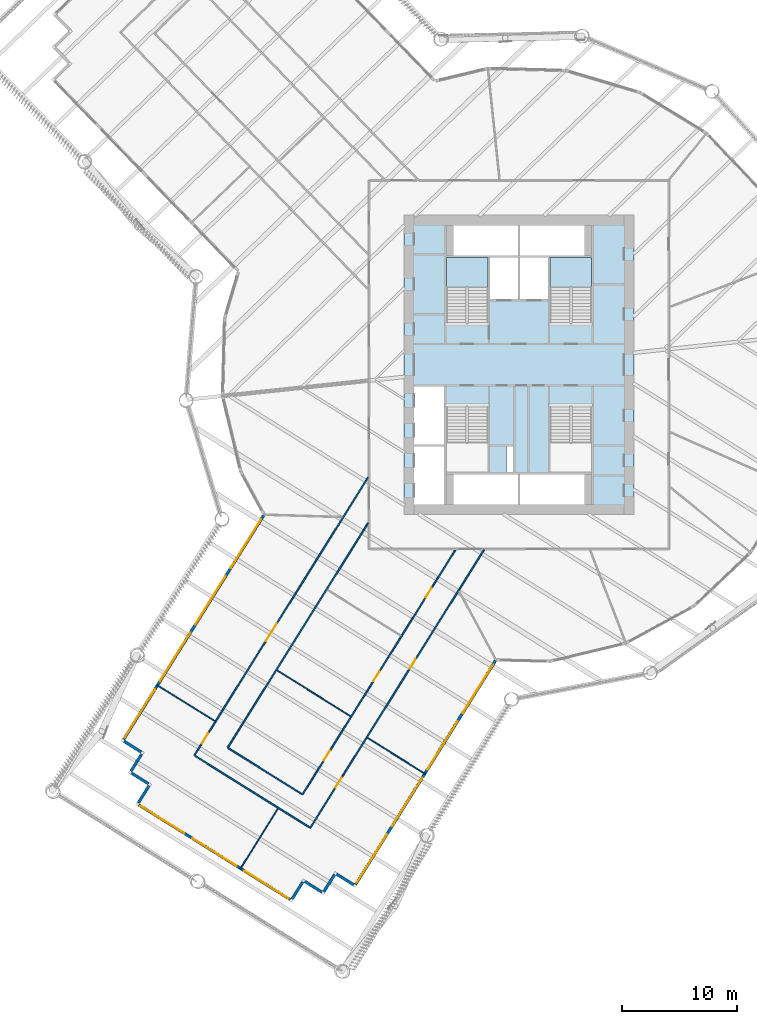
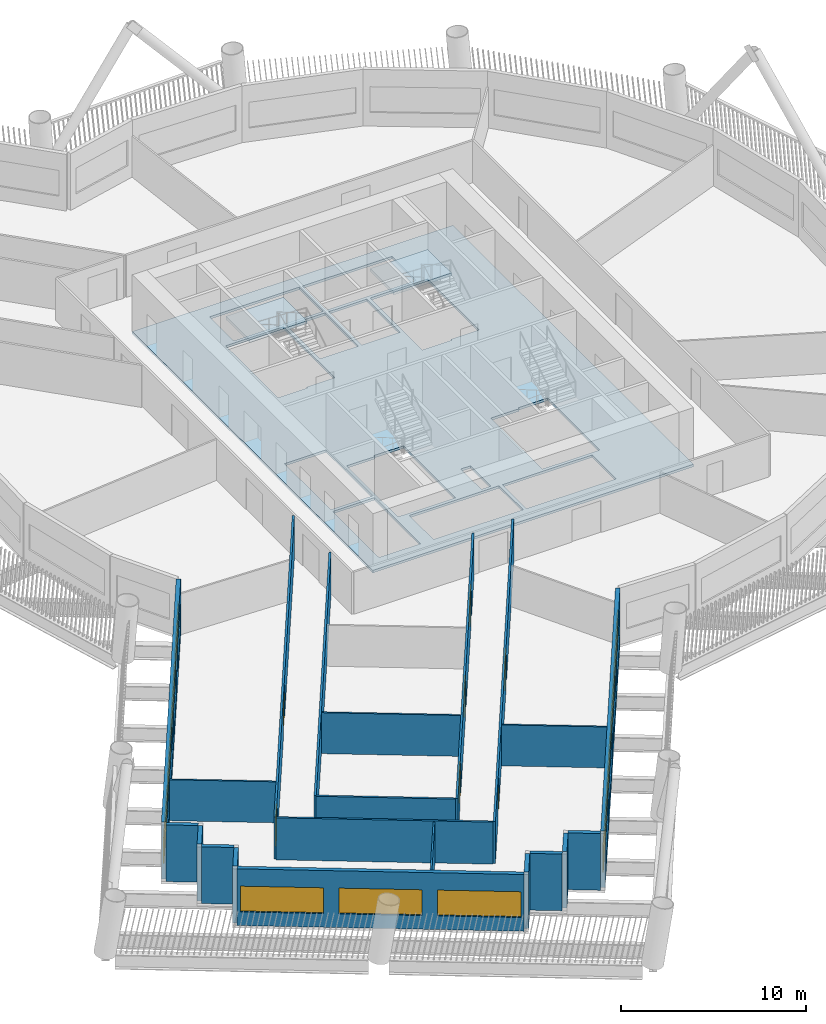
# One storey, part 3 of 22: 21 walls, 11 windows, 7 doors, 3 slabs, 18 openings, 2 elements without a shape of their own.
"""IFC4 building model written with IfcOpenShell, lengths in metres."""

from ifc_helpers import new_model, si_unit, direction, frame, frame_2d, origin, place, context, subcontext, project, spatial, polyline, rectangle, outline, extrude, material, layer, layer_set, type_object, element, fill, aggregate, save


model = new_model("IFC4")

# Units and contexts
model_context = context("Model", 3, precision=1e-05, world=origin(), true_north=direction((0.0, 1.0)))
body_context = subcontext(model_context, "Body", "Model", "MODEL_VIEW")
ifc_project = project(units=[si_unit("LENGTHUNIT", "METRE"), si_unit("AREAUNIT", "SQUARE_METRE"), si_unit("VOLUMEUNIT", "CUBIC_METRE"), si_unit("PLANEANGLEUNIT", "RADIAN"), si_unit("MASSUNIT", "GRAM", prefix="KILO")], contexts=[model_context])

# Site, building, storey
site_placement = place(None, origin())
site = spatial("IfcSite", under=ifc_project, at=site_placement, CompositionType="ELEMENT")
building_placement = place(site_placement, origin())
building = spatial("IfcBuilding", under=site, at=building_placement, Name="Tarsis Ring Headquarters", CompositionType="ELEMENT")
storey_placement = place(building_placement, frame((0.0, 0.0, 71.199951171875)))
storey = spatial("IfcBuildingStorey", under=building, at=storey_placement, Name="L15", CompositionType="ELEMENT", Elevation=71.199951171875)

# Slab
ifc_material_1 = material(Name="Concrete C40/50", Category="concrete")
ifc_layer_1 = layer(ifc_material_1, 0.159912109375)
ifc_layer_set_1 = layer_set([ifc_layer_1], Name="Core floor slab 160 C40/50")
slab_type_1 = type_object("IfcSlabType", Name="Core floor slab 160 C40/50", PredefinedType="FLOOR", material=ifc_layer_set_1)
slab_1_placement = place(storey_placement, frame((0.0, 0.0, -0.159912109375)))
element("IfcSlab", 1, at=slab_1_placement, inside=storey, type_object=slab_type_1, Name="L15 core floor slab", PredefinedType="FLOOR", context=body_context, shape_type="SweptSolid", body=[
    extrude(outline(polyline([(-10.0, -13.0), (10.0, -13.0), (10.0, 13.0), (-10.0, 13.0), (-10.0, -13.0)]), holes=[polyline([(-2.5, 5.699951171875), (-0.10009765625, 5.699951171875), (-0.10009765625, 9.300048828125), (-2.5, 9.300048828125), (-2.5, 5.699951171875)]), polyline([(0.10009765625, 5.699951171875), (2.5, 5.699951171875), (2.5, 9.300048828125), (0.10009765625, 9.300048828125), (0.10009765625, 5.699951171875)]), polyline([(-9.10009765625, -12.10009765625), (-6.5, -12.10009765625), (-6.5, -7.10009765625), (-9.10009765625, -7.10009765625), (-9.10009765625, -12.10009765625)]), polyline([(-9.10009765625, -6.89990234375), (-6.5, -6.89990234375), (-6.5, -1.89990234375), (-9.10009765625, -1.89990234375), (-9.10009765625, -6.89990234375)]), polyline([(-5.699951171875, 9.5), (-0.10009765625, 9.5), (-0.10009765625, 12.10009765625), (-5.699951171875, 12.10009765625), (-5.699951171875, 9.5)]), polyline([(0.10009765625, 9.5), (5.699951171875, 9.5), (5.699951171875, 12.10009765625), (0.10009765625, 12.10009765625), (0.10009765625, 9.5)]), polyline([(-5.699951171875, -12.10009765625), (-0.10009765625, -12.10009765625), (-0.10009765625, -9.5), (-5.699951171875, -9.5), (-5.699951171875, -12.10009765625)]), polyline([(0.10009765625, -12.10009765625), (5.699951171875, -12.10009765625), (5.699951171875, -9.5), (0.10009765625, -9.5), (0.10009765625, -12.10009765625)]), polyline([(-1.10009765625, -9.300048828125), (-0.5, -9.300048828125), (-0.5, -7.10009765625), (-1.10009765625, -7.10009765625), (-1.10009765625, -9.300048828125)]), polyline([(-2.699951171875, 3.760009765625), (-2.699951171875, 9.300048828125), (-6.300048828125, 9.300048828125), (-6.300048828125, 3.659912109375), (-4.4599609375, 3.659912109375), (-4.4599609375, 3.760009765625), (-2.699951171875, 3.760009765625)]), polyline([(6.300048828125, 3.760009765625), (6.300048828125, 9.300048828125), (2.699951171875, 9.300048828125), (2.699951171875, 3.659912109375), (4.5400390625, 3.659912109375), (4.5400390625, 3.760009765625), (6.300048828125, 3.760009765625)]), polyline([(-6.300048828125, -3.760009765625), (-6.300048828125, -9.300048828125), (-2.699951171875, -9.300048828125), (-2.699951171875, -3.659912109375), (-4.5400390625, -3.659912109375), (-4.5400390625, -3.760009765625), (-6.300048828125, -3.760009765625)]), polyline([(2.699951171875, -3.760009765625), (2.699951171875, -9.300048828125), (6.300048828125, -9.300048828125), (6.300048828125, -3.659912109375), (4.4599609375, -3.659912109375), (4.4599609375, -3.760009765625), (2.699951171875, -3.760009765625)])]), origin(), (0.0, 0.0, 1.0), 0.159912109375),
])

# Stair, slab
ifc_material_2 = material(Name="Core stair 1760")
stair_type = type_object("IfcStairType", Name="Core stair 1760", PredefinedType="HALF_TURN_STAIR", material=ifc_material_2)
stair_1_placement = place(storey_placement, origin())
stair_1 = element("IfcStair", 2, at=stair_1_placement, inside=storey, type_object=stair_type, Name="L15 Firefighting stair", PredefinedType="HALF_TURN_STAIR")
ifc_layer_2 = layer(ifc_material_1, 0.199951171875)
ifc_layer_set_2 = layer_set([ifc_layer_2], Name="Core stair landing 200")
slab_type_2 = type_object("IfcSlabType", Name="Core stair landing 200", PredefinedType="LANDING", material=ifc_layer_set_2)
slab_2_placement = place(storey_placement, frame((0.0, 0.0, 1.75)))
slab_2 = element("IfcSlab", 3, at=slab_2_placement, type_object=slab_type_2, Name="Stair ST1 landing 1", PredefinedType="LANDING", context=body_context, shape_type="SweptSolid", body=[
    extrude(outline(polyline([(-2.699951171875, 6.739990234375), (-2.699951171875, 9.300048828125), (-6.300048828125, 9.300048828125), (-6.300048828125, 6.739990234375), (-2.699951171875, 6.739990234375)])), origin(), (0.0, 0.0, 1.0), 0.199951171875),
])
aggregate(stair_1, [slab_2])

stair_2_placement = place(storey_placement, origin())
stair_2 = element("IfcStair", 4, at=stair_2_placement, inside=storey, type_object=stair_type, Name="L15 Exit stair B", PredefinedType="HALF_TURN_STAIR")
slab_3_placement = place(storey_placement, frame((0.0, 0.0, 1.75)))
slab_3 = element("IfcSlab", 5, at=slab_3_placement, type_object=slab_type_2, Name="Stair ST2 landing 1", PredefinedType="LANDING", context=body_context, shape_type="SweptSolid", body=[
    extrude(outline(polyline([(6.300048828125, 6.739990234375), (6.300048828125, 9.300048828125), (2.699951171875, 9.300048828125), (2.699951171875, 6.739990234375), (6.300048828125, 6.739990234375)])), origin(), (0.0, 0.0, 1.0), 0.199951171875),
])
aggregate(stair_2, [slab_3])

# Walls
ifc_material_3 = material(Name="Gypsum board on steel studs", Category="steel")
ifc_layer_3 = layer(ifc_material_3, 0.10009765625)
ifc_layer_set_3 = layer_set([ifc_layer_3], Name="FL partition 100 unrated")
wall_type_1 = type_object("IfcWallType", Name="FL partition 100 unrated", PredefinedType="PARTITIONING", material=ifc_layer_set_3)
wall_1_placement = place(storey_placement, frame((-20.999267578125, -26.510498046875, 0.0), z_axis=(0.0, 0.0, 1.0), x_axis=(0.848060310699, -0.529899716378, 0.0)))
element("IfcWall", 6, at=wall_1_placement, inside=storey, type_object=wall_type_1, Name="Partition PW3", PredefinedType="PARTITIONING", context=body_context, shape_type="SweptSolid", body=[
    extrude(rectangle(XDim=7.52001953125, YDim=0.10009765625, at=frame_2d((3.760009765625, 0.0))), origin(), (0.0, 0.0, 1.0), 2.699951171875),
])
wall_2_placement = place(storey_placement, frame((-24.205078125, -43.77490234375, 0.0), z_axis=(0.0, 0.0, 1.0), x_axis=(0.529913986372, 0.848051394107, 0.0)))
element("IfcWall", 7, at=wall_2_placement, inside=storey, type_object=wall_type_1, Name="Partition PW3", PredefinedType="PARTITIONING", context=body_context, shape_type="SweptSolid", body=[
    extrude(rectangle(XDim=6.199951171875, YDim=0.10009765625, at=frame_2d((3.10009765625, 0.0))), origin(), (0.0, 0.0, 1.0), 2.699951171875),
])
for number, where, z_axis, x_axis, name in (
    (8, (-31.442138671875, -27.767578125, 0.0), (0.0, 0.0, 1.0), (0.848062843461, -0.529895662882, 0.0), "Partition PW3"),
    (9, (-13.151611328125, -32.369384765625, 0.0), (0.0, 0.0, 1.0), (0.848044403897, -0.529925173037, 0.0), "Partition PW3"),
):
    element("IfcWall", number, at=place(storey_placement, frame(where, z_axis=z_axis, x_axis=x_axis)), inside=storey, type_object=wall_type_1, Name=name, PredefinedType="PARTITIONING", context=body_context, shape_type="SweptSolid", body=[
        extrude(rectangle(XDim=5.949951171875, YDim=0.10009765625, at=frame_2d((2.97509765625, 0.0))), origin(), (0.0, 0.0, 1.0), 2.699951171875),
    ])

# Wall, openings, doors
ifc_layer_4 = layer(ifc_material_3, 0.125)
ifc_layer_set_4 = layer_set([ifc_layer_4], Name="FL partition 125 EI 60 H2770")
wall_type_2 = type_object("IfcWallType", Name="FL partition 125 EI 60 H2770", PredefinedType="PARTITIONING", material=ifc_layer_set_4)
wall_3_placement = place(storey_placement, frame((-28.17578125, -33.900390625, 0.0), z_axis=(0.0, 0.0, 1.0), x_axis=(0.529920225436, 0.848047495529, 0.0)))
wall_3 = element("IfcWall", 10, at=wall_3_placement, inside=storey, type_object=wall_type_2, Name="Partition PW1", PredefinedType="PARTITIONING", context=body_context, shape_type="SweptSolid", body=[
    extrude(rectangle(XDim=28.43798828125, YDim=0.125, at=frame_2d((14.218994140625, 0.0))), origin(), (0.0, 0.0, 1.0), 2.77001953125),
])
opening_1_placement = place(wall_3_placement, frame((1.236572265625, 0.0, 0.0)))
opening_1 = element("IfcOpeningElement", 11, at=opening_1_placement, cuts=wall_3, Name="Opening D15.10", PredefinedType="OPENING", context=body_context, shape_type="SweptSolid", body=[
    extrude(rectangle(XDim=1.0, YDim=2.10009765625, at=frame_2d((0.5, 1.050048828125))), frame((0.0, 0.072509765625, 0.0), z_axis=(0.0, -1.0, 0.0), x_axis=(1.0, 0.0, 0.0)), (0.0, 0.0, 1.0), 0.14501953125),
])
opening_2_placement = place(wall_3_placement, frame((11.69921875, 0.0, 0.0)))
opening_2 = element("IfcOpeningElement", 12, at=opening_2_placement, cuts=wall_3, Name="Opening D15.11", PredefinedType="OPENING", context=body_context, shape_type="SweptSolid", body=[
    extrude(rectangle(XDim=1.800048828125, YDim=2.10009765625, at=frame_2d((0.89990234375, 1.050048828125))), frame((0.0, 0.072509765625, 0.0), z_axis=(0.0, -1.0, 0.0), x_axis=(1.0, 0.0, 0.0)), (0.0, 0.0, 1.0), 0.14501953125),
])
ifc_material_4 = material(Name="Fire-rated timber door leaf in steel frame", Category="steel")
door_type_1 = type_object("IfcDoorType", Name="FL door FD60-1000", OperationType="NOTDEFINED", PredefinedType="DOOR", material=ifc_material_4)
door_1_placement = place(opening_1_placement, origin())
door_1 = element("IfcDoor", 13, at=door_1_placement, inside=storey, type_object=door_type_1, Name="Door D15.10", OperationType="SINGLE_SWING_LEFT", OverallHeight=2.10009765625, OverallWidth=1.0, PredefinedType="DOOR", context=body_context, shape_type="SweptSolid", body=[
    extrude(rectangle(XDim=1.0, YDim=2.10009765625, at=frame_2d((0.5, 1.050048828125))), frame((0.0, 0.02490234375, 0.0), z_axis=(0.0, -1.0, 0.0), x_axis=(1.0, 0.0, 0.0)), (0.0, 0.0, 1.0), 0.050048828125),
])
fill(opening_1, door_1)
door_type_2 = type_object("IfcDoorType", Name="FL door FD60-1800", OperationType="DOUBLE_DOOR_SINGLE_SWING", PredefinedType="DOOR", material=ifc_material_4)
door_2_placement = place(opening_2_placement, origin())
door_2 = element("IfcDoor", 14, at=door_2_placement, inside=storey, type_object=door_type_2, Name="Door D15.11", OperationType="DOUBLE_DOOR_SINGLE_SWING", OverallHeight=2.10009765625, OverallWidth=1.800048828125, PredefinedType="DOOR", context=body_context, shape_type="SweptSolid", body=[
    extrude(rectangle(XDim=1.800048828125, YDim=2.10009765625, at=frame_2d((0.89990234375, 1.050048828125))), frame((0.0, 0.02490234375, 0.0), z_axis=(0.0, -1.0, 0.0), x_axis=(1.0, 0.0, 0.0)), (0.0, 0.0, 1.0), 0.050048828125),
])
fill(opening_2, door_2)

wall_4_placement = place(storey_placement, frame((-18.117919921875, -40.185302734375, 0.0), z_axis=(0.0, 0.0, 1.0), x_axis=(0.529916600774, 0.848049760464, 0.0)))
wall_4 = element("IfcWall", 15, at=wall_4_placement, inside=storey, type_object=wall_type_2, Name="Partition PW1", PredefinedType="PARTITIONING", context=body_context, shape_type="SweptSolid", body=[
    extrude(rectangle(XDim=28.518798828125, YDim=0.125, at=frame_2d((14.25927734375, 0.0))), origin(), (0.0, 0.0, 1.0), 2.77001953125),
])
opening_3_placement = place(wall_4_placement, frame((16.278076171875, 0.0, 0.0)))
opening_3 = element("IfcOpeningElement", 16, at=opening_3_placement, cuts=wall_4, Name="Opening D15.08", PredefinedType="OPENING", context=body_context, shape_type="SweptSolid", body=[
    extrude(rectangle(XDim=1.0, YDim=2.10009765625, at=frame_2d((0.5, 1.050048828125))), frame((0.0, 0.072509765625, 0.0), z_axis=(0.0, -1.0, 0.0), x_axis=(1.0, 0.0, 0.0)), (0.0, 0.0, 1.0), 0.14501953125),
])
opening_4_placement = place(wall_4_placement, frame((4.127685546875, 0.0, 0.0)))
opening_4 = element("IfcOpeningElement", 17, at=opening_4_placement, cuts=wall_4, Name="Opening D15.09", PredefinedType="OPENING", context=body_context, shape_type="SweptSolid", body=[
    extrude(rectangle(XDim=1.0, YDim=2.10009765625, at=frame_2d((0.5, 1.050048828125))), frame((0.0, 0.072509765625, 0.0), z_axis=(0.0, -1.0, 0.0), x_axis=(1.0, 0.0, 0.0)), (0.0, 0.0, 1.0), 0.14501953125),
])
door_3_placement = place(opening_3_placement, origin())
door_3 = element("IfcDoor", 18, at=door_3_placement, inside=storey, type_object=door_type_1, Name="Door D15.08", OperationType="SINGLE_SWING_LEFT", OverallHeight=2.10009765625, OverallWidth=1.0, PredefinedType="DOOR", context=body_context, shape_type="SweptSolid", body=[
    extrude(rectangle(XDim=1.0, YDim=2.10009765625, at=frame_2d((0.5, 1.050048828125))), frame((0.0, 0.02490234375, 0.0), z_axis=(0.0, -1.0, 0.0), x_axis=(1.0, 0.0, 0.0)), (0.0, 0.0, 1.0), 0.050048828125),
])
fill(opening_3, door_3)
door_4_placement = place(opening_4_placement, origin())
door_4 = element("IfcDoor", 19, at=door_4_placement, inside=storey, type_object=door_type_1, Name="Door D15.09", OperationType="SINGLE_SWING_RIGHT", OverallHeight=2.10009765625, OverallWidth=1.0, PredefinedType="DOOR", context=body_context, shape_type="SweptSolid", body=[
    extrude(rectangle(XDim=1.0, YDim=2.10009765625, at=frame_2d((0.5, 1.050048828125))), frame((0.0, 0.02490234375, 0.0), z_axis=(0.0, -1.0, 0.0), x_axis=(1.0, 0.0, 0.0)), (0.0, 0.0, 1.0), 0.050048828125),
])
fill(opening_4, door_4)

wall_5_placement = place(storey_placement, frame((-18.785888671875, -37.29150390625, 0.0), z_axis=(0.0, 0.0, 1.0), x_axis=(0.529912056556, 0.848052599971, 0.0)))
wall_5 = element("IfcWall", 20, at=wall_5_placement, inside=storey, type_object=wall_type_2, Name="Partition PW1", PredefinedType="PARTITIONING", context=body_context, shape_type="SweptSolid", body=[
    extrude(rectangle(XDim=25.00634765625, YDim=0.125, at=frame_2d((12.503173828125, 0.0))), origin(), (0.0, 0.0, 1.0), 2.77001953125),
])
opening_5_placement = place(wall_5_placement, frame((20.16015625, 0.0, 0.0)))
opening_5 = element("IfcOpeningElement", 21, at=opening_5_placement, cuts=wall_5, Name="Opening D15.16", PredefinedType="OPENING", context=body_context, shape_type="SweptSolid", body=[
    extrude(rectangle(XDim=1.0, YDim=2.10009765625, at=frame_2d((0.5, 1.050048828125))), frame((0.0, 0.072509765625, 0.0), z_axis=(0.0, -1.0, 0.0), x_axis=(1.0, 0.0, 0.0)), (0.0, 0.0, 1.0), 0.14501953125),
])
opening_6_placement = place(wall_5_placement, frame((11.593994140625, 0.0, 0.0)))
opening_6 = element("IfcOpeningElement", 22, at=opening_6_placement, cuts=wall_5, Name="Opening D15.17", PredefinedType="OPENING", context=body_context, shape_type="SweptSolid", body=[
    extrude(rectangle(XDim=1.0, YDim=2.10009765625, at=frame_2d((0.5, 1.050048828125))), frame((0.0, 0.072509765625, 0.0), z_axis=(0.0, -1.0, 0.0), x_axis=(1.0, 0.0, 0.0)), (0.0, 0.0, 1.0), 0.14501953125),
])
opening_7_placement = place(wall_5_placement, frame((3.487060546875, 0.0, 0.0)))
opening_7 = element("IfcOpeningElement", 23, at=opening_7_placement, cuts=wall_5, Name="Opening D15.18", PredefinedType="OPENING", context=body_context, shape_type="SweptSolid", body=[
    extrude(rectangle(XDim=1.0, YDim=2.10009765625, at=frame_2d((0.5, 1.050048828125))), frame((0.0, 0.072509765625, 0.0), z_axis=(0.0, -1.0, 0.0), x_axis=(1.0, 0.0, 0.0)), (0.0, 0.0, 1.0), 0.14501953125),
])
door_5_placement = place(opening_5_placement, origin())
door_5 = element("IfcDoor", 24, at=door_5_placement, inside=storey, type_object=door_type_1, Name="Door D15.16", OperationType="SINGLE_SWING_LEFT", OverallHeight=2.10009765625, OverallWidth=1.0, PredefinedType="DOOR", context=body_context, shape_type="SweptSolid", body=[
    extrude(rectangle(XDim=1.0, YDim=2.10009765625, at=frame_2d((0.5, 1.050048828125))), frame((0.0, 0.02490234375, 0.0), z_axis=(0.0, -1.0, 0.0), x_axis=(1.0, 0.0, 0.0)), (0.0, 0.0, 1.0), 0.050048828125),
])
fill(opening_5, door_5)
door_6_placement = place(opening_6_placement, origin())
door_6 = element("IfcDoor", 25, at=door_6_placement, inside=storey, type_object=door_type_1, Name="Door D15.17", OperationType="SINGLE_SWING_RIGHT", OverallHeight=2.10009765625, OverallWidth=1.0, PredefinedType="DOOR", context=body_context, shape_type="SweptSolid", body=[
    extrude(rectangle(XDim=1.0, YDim=2.10009765625, at=frame_2d((0.5, 1.050048828125))), frame((0.0, 0.02490234375, 0.0), z_axis=(0.0, -1.0, 0.0), x_axis=(1.0, 0.0, 0.0)), (0.0, 0.0, 1.0), 0.050048828125),
])
fill(opening_6, door_6)
door_7_placement = place(opening_7_placement, origin())
door_7 = element("IfcDoor", 26, at=door_7_placement, inside=storey, type_object=door_type_1, Name="Door D15.18", OperationType="SINGLE_SWING_LEFT", OverallHeight=2.10009765625, OverallWidth=1.0, PredefinedType="DOOR", context=body_context, shape_type="SweptSolid", body=[
    extrude(rectangle(XDim=1.0, YDim=2.10009765625, at=frame_2d((0.5, 1.050048828125))), frame((0.0, 0.02490234375, 0.0), z_axis=(0.0, -1.0, 0.0), x_axis=(1.0, 0.0, 0.0)), (0.0, 0.0, 1.0), 0.050048828125),
])
fill(opening_7, door_7)

# Walls
wall_6_placement = place(storey_placement, frame((-25.281982421875, -33.232177734375, 0.0), z_axis=(0.0, 0.0, 1.0), x_axis=(0.529916800178, 0.848049635864, 0.0)))
element("IfcWall", 27, at=wall_6_placement, inside=storey, type_object=wall_type_2, Name="Partition PW1", PredefinedType="PARTITIONING", context=body_context, shape_type="SweptSolid", body=[
    extrude(rectangle(XDim=22.977294921875, YDim=0.125, at=frame_2d((11.48876953125, 0.0))), origin(), (0.0, 0.0, 1.0), 2.77001953125),
])
wall_7_placement = place(storey_placement, frame((-28.125, -33.93212890625, 0.0), z_axis=(0.0, 0.0, 1.0), x_axis=(0.84805554471, -0.529907343869, 0.0)))
element("IfcWall", 28, at=wall_7_placement, inside=storey, type_object=wall_type_2, Name="Partition PW1", PredefinedType="PARTITIONING", context=body_context, shape_type="SweptSolid", body=[
    extrude(rectangle(XDim=11.740234375, YDim=0.125, at=frame_2d((5.8701171875, 0.0))), origin(), (0.0, 0.0, 1.0), 2.77001953125),
])
wall_8_placement = place(storey_placement, frame((-25.231201171875, -33.263916015625, 0.0), z_axis=(0.0, 0.0, 1.0), x_axis=(0.8480474151, -0.529920354149, 0.0)))
element("IfcWall", 29, at=wall_8_placement, inside=storey, type_object=wall_type_2, Name="Partition PW1", PredefinedType="PARTITIONING", context=body_context, shape_type="SweptSolid", body=[
    extrude(rectangle(XDim=7.5400390625, YDim=0.125, at=frame_2d((3.77001953125, 0.0))), origin(), (0.0, 0.0, 1.0), 2.77001953125),
])

# Wall, openings, windows
ifc_material_5 = material(Name="Terracotta clad insulated panel wall", Category="masonry")
ifc_layer_5 = layer(ifc_material_5, 0.25)
ifc_layer_set_5 = layer_set([ifc_layer_5], Name="Facade wall terracotta panel 250")
wall_type_3 = type_object("IfcWallType", Name="Facade wall terracotta panel 250", PredefinedType="STANDARD", material=ifc_layer_set_5)
wall_9_placement = place(storey_placement, frame((-22.16748046875, -13.06640625, 0.0), z_axis=(0.0, 0.0, 1.0), x_axis=(-0.529924262062, -0.848044973146, 0.0)))
wall_9 = element("IfcWall", 30, at=wall_9_placement, inside=storey, type_object=wall_type_3, Name="External wall L15-06", PredefinedType="STANDARD", context=body_context, shape_type="SweptSolid", body=[
    extrude(rectangle(XDim=22.922119140625, YDim=0.25, at=frame_2d((11.4609375, 0.0))), origin(), (0.0, 0.0, 1.0), 3.739990234375),
])
opening_8_placement = place(wall_9_placement, frame((0.42138671875, 0.0, 0.89990234375)))
opening_8 = element("IfcOpeningElement", 31, at=opening_8_placement, cuts=wall_9, Name="Opening WN05", PredefinedType="OPENING", context=body_context, shape_type="SweptSolid", body=[
    extrude(rectangle(XDim=4.949951171875, YDim=1.699951171875, at=frame_2d((2.47509765625, 0.85009765625))), frame((0.0, 0.135009765625, 0.0), z_axis=(0.0, -1.0, 0.0), x_axis=(1.0, 0.0, 0.0)), (0.0, 0.0, 1.0), 0.27001953125),
])
opening_9_placement = place(wall_9_placement, frame((6.214599609375, 0.0, 0.89990234375)))
opening_9 = element("IfcOpeningElement", 32, at=opening_9_placement, cuts=wall_9, Name="Opening WN05", PredefinedType="OPENING", context=body_context, shape_type="SweptSolid", body=[
    extrude(rectangle(XDim=4.949951171875, YDim=1.699951171875, at=frame_2d((2.47509765625, 0.85009765625))), frame((0.0, 0.135009765625, 0.0), z_axis=(0.0, -1.0, 0.0), x_axis=(1.0, 0.0, 0.0)), (0.0, 0.0, 1.0), 0.27001953125),
])
opening_10_placement = place(wall_9_placement, frame((12.007568359375, 0.0, 0.89990234375)))
opening_10 = element("IfcOpeningElement", 33, at=opening_10_placement, cuts=wall_9, Name="Opening WN05", PredefinedType="OPENING", context=body_context, shape_type="SweptSolid", body=[
    extrude(rectangle(XDim=4.949951171875, YDim=1.699951171875, at=frame_2d((2.47509765625, 0.85009765625))), frame((0.0, 0.135009765625, 0.0), z_axis=(0.0, -1.0, 0.0), x_axis=(1.0, 0.0, 0.0)), (0.0, 0.0, 1.0), 0.27001953125),
])
opening_11_placement = place(wall_9_placement, frame((17.800537109375, 0.0, 0.89990234375)))
opening_11 = element("IfcOpeningElement", 34, at=opening_11_placement, cuts=wall_9, Name="Opening WN05", PredefinedType="OPENING", context=body_context, shape_type="SweptSolid", body=[
    extrude(rectangle(XDim=4.949951171875, YDim=1.699951171875, at=frame_2d((2.47509765625, 0.85009765625))), frame((0.0, 0.135009765625, 0.0), z_axis=(0.0, -1.0, 0.0), x_axis=(1.0, 0.0, 0.0)), (0.0, 0.0, 1.0), 0.27001953125),
])
ifc_material_6 = material(Name="Aluminium framed double glazing", Category="aluminium")
window_type_1 = type_object("IfcWindowType", Name="Facade window 4950 x 1700", PartitioningType="SINGLE_PANEL", PredefinedType="WINDOW", material=ifc_material_6)
window_1_placement = place(opening_8_placement, origin())
window_1 = element("IfcWindow", 35, at=window_1_placement, inside=storey, type_object=window_type_1, Name="Window L15-06.1", OverallHeight=1.699951171875, OverallWidth=4.949951171875, PartitioningType="SINGLE_PANEL", PredefinedType="WINDOW", context=body_context, shape_type="SweptSolid", body=[
    extrude(rectangle(XDim=4.949951171875, YDim=1.699951171875, at=frame_2d((2.47509765625, 0.85009765625))), frame((0.0, 0.030029296875, 0.0), z_axis=(0.0, -1.0, 0.0), x_axis=(1.0, 0.0, 0.0)), (0.0, 0.0, 1.0), 0.06005859375),
])
fill(opening_8, window_1)
window_2_placement = place(opening_9_placement, origin())
window_2 = element("IfcWindow", 36, at=window_2_placement, inside=storey, type_object=window_type_1, Name="Window L15-06.2", OverallHeight=1.699951171875, OverallWidth=4.949951171875, PartitioningType="SINGLE_PANEL", PredefinedType="WINDOW", context=body_context, shape_type="SweptSolid", body=[
    extrude(rectangle(XDim=4.949951171875, YDim=1.699951171875, at=frame_2d((2.47509765625, 0.85009765625))), frame((0.0, 0.030029296875, 0.0), z_axis=(0.0, -1.0, 0.0), x_axis=(1.0, 0.0, 0.0)), (0.0, 0.0, 1.0), 0.06005859375),
])
fill(opening_9, window_2)
window_3_placement = place(opening_10_placement, origin())
window_3 = element("IfcWindow", 37, at=window_3_placement, inside=storey, type_object=window_type_1, Name="Window L15-06.3", OverallHeight=1.699951171875, OverallWidth=4.949951171875, PartitioningType="SINGLE_PANEL", PredefinedType="WINDOW", context=body_context, shape_type="SweptSolid", body=[
    extrude(rectangle(XDim=4.949951171875, YDim=1.699951171875, at=frame_2d((2.47509765625, 0.85009765625))), frame((0.0, 0.030029296875, 0.0), z_axis=(0.0, -1.0, 0.0), x_axis=(1.0, 0.0, 0.0)), (0.0, 0.0, 1.0), 0.06005859375),
])
fill(opening_10, window_3)
window_4_placement = place(opening_11_placement, origin())
window_4 = element("IfcWindow", 38, at=window_4_placement, inside=storey, type_object=window_type_1, Name="Window L15-06.4", OverallHeight=1.699951171875, OverallWidth=4.949951171875, PartitioningType="SINGLE_PANEL", PredefinedType="WINDOW", context=body_context, shape_type="SweptSolid", body=[
    extrude(rectangle(XDim=4.949951171875, YDim=1.699951171875, at=frame_2d((2.47509765625, 0.85009765625))), frame((0.0, 0.030029296875, 0.0), z_axis=(0.0, -1.0, 0.0), x_axis=(1.0, 0.0, 0.0)), (0.0, 0.0, 1.0), 0.06005859375),
])
fill(opening_11, window_4)

# Walls
for number, where, z_axis, x_axis, name in (
    (39, (-34.274658203125, -32.677734375, 0.0), (0.0, 0.0, 1.0), (0.848084507158, -0.529860989996, 0.0), "External wall L15-07"),
    (40, (-32.750732421875, -33.77734375, 0.0), (0.0, 0.0, 1.0), (-0.530024021429, -0.847982627598, 0.0), "External wall L15-08"),
    (41, (-33.638427734375, -35.43359375, 0.0), (0.0, 0.0, 1.0), (0.848084507158, -0.529860989996, 0.0), "External wall L15-09"),
    (42, (-32.114501953125, -36.533203125, 0.0), (0.0, 0.0, 1.0), (-0.529860989996, -0.848084507158, 0.0), "External wall L15-10"),
):
    element("IfcWall", number, at=place(storey_placement, frame(where, z_axis=z_axis, x_axis=x_axis)), inside=storey, type_object=wall_type_3, Name=name, PredefinedType="STANDARD", context=body_context, shape_type="SweptSolid", body=[
        extrude(rectangle(XDim=1.75, YDim=0.25, at=frame_2d((0.875, 0.0))), origin(), (0.0, 0.0, 1.0), 3.739990234375),
    ])

# Wall, openings, windows
wall_10_placement = place(storey_placement, frame((-33.002197265625, -38.189453125, 0.0), z_axis=(0.0, 0.0, 1.0), x_axis=(0.848045199487, -0.529923899845, 0.0)))
wall_10 = element("IfcWall", 43, at=wall_10_placement, inside=storey, type_object=wall_type_3, Name="External wall L15-11", PredefinedType="STANDARD", context=body_context, shape_type="SweptSolid", body=[
    extrude(rectangle(XDim=15.5, YDim=0.25, at=frame_2d((7.75, 0.0))), origin(), (0.0, 0.0, 1.0), 3.739990234375),
])
opening_12_placement = place(wall_10_placement, frame((0.166748046875, 0.0, 0.89990234375)))
opening_12 = element("IfcOpeningElement", 44, at=opening_12_placement, cuts=wall_10, Name="Opening WN04", PredefinedType="OPENING", context=body_context, shape_type="SweptSolid", body=[
    extrude(rectangle(XDim=4.5, YDim=1.699951171875, at=frame_2d((2.25, 0.85009765625))), frame((0.0, 0.135009765625, 0.0), z_axis=(0.0, -1.0, 0.0), x_axis=(1.0, 0.0, 0.0)), (0.0, 0.0, 1.0), 0.27001953125),
])
opening_13_placement = place(wall_10_placement, frame((5.5, 0.0, 0.89990234375)))
opening_13 = element("IfcOpeningElement", 45, at=opening_13_placement, cuts=wall_10, Name="Opening WN04", PredefinedType="OPENING", context=body_context, shape_type="SweptSolid", body=[
    extrude(rectangle(XDim=4.5, YDim=1.699951171875, at=frame_2d((2.25, 0.85009765625))), frame((0.0, 0.135009765625, 0.0), z_axis=(0.0, -1.0, 0.0), x_axis=(1.0, 0.0, 0.0)), (0.0, 0.0, 1.0), 0.27001953125),
])
opening_14_placement = place(wall_10_placement, frame((10.833251953125, 0.0, 0.89990234375)))
opening_14 = element("IfcOpeningElement", 46, at=opening_14_placement, cuts=wall_10, Name="Opening WN04", PredefinedType="OPENING", context=body_context, shape_type="SweptSolid", body=[
    extrude(rectangle(XDim=4.5, YDim=1.699951171875, at=frame_2d((2.25, 0.85009765625))), frame((0.0, 0.135009765625, 0.0), z_axis=(0.0, -1.0, 0.0), x_axis=(1.0, 0.0, 0.0)), (0.0, 0.0, 1.0), 0.27001953125),
])
window_type_2 = type_object("IfcWindowType", Name="Facade window 4500 x 1700", PartitioningType="SINGLE_PANEL", PredefinedType="WINDOW", material=ifc_material_6)
window_5_placement = place(opening_12_placement, origin())
window_5 = element("IfcWindow", 47, at=window_5_placement, inside=storey, type_object=window_type_2, Name="Window L15-11.1", OverallHeight=1.699951171875, OverallWidth=4.5, PartitioningType="SINGLE_PANEL", PredefinedType="WINDOW", context=body_context, shape_type="SweptSolid", body=[
    extrude(rectangle(XDim=4.5, YDim=1.699951171875, at=frame_2d((2.25, 0.85009765625))), frame((0.0, 0.030029296875, 0.0), z_axis=(0.0, -1.0, 0.0), x_axis=(1.0, 0.0, 0.0)), (0.0, 0.0, 1.0), 0.06005859375),
])
fill(opening_12, window_5)
window_6_placement = place(opening_13_placement, origin())
window_6 = element("IfcWindow", 48, at=window_6_placement, inside=storey, type_object=window_type_2, Name="Window L15-11.2", OverallHeight=1.699951171875, OverallWidth=4.5, PartitioningType="SINGLE_PANEL", PredefinedType="WINDOW", context=body_context, shape_type="SweptSolid", body=[
    extrude(rectangle(XDim=4.5, YDim=1.699951171875, at=frame_2d((2.25, 0.85009765625))), frame((0.0, 0.030029296875, 0.0), z_axis=(0.0, -1.0, 0.0), x_axis=(1.0, 0.0, 0.0)), (0.0, 0.0, 1.0), 0.06005859375),
])
fill(opening_13, window_6)
window_7_placement = place(opening_14_placement, origin())
window_7 = element("IfcWindow", 49, at=window_7_placement, inside=storey, type_object=window_type_2, Name="Window L15-11.3", OverallHeight=1.699951171875, OverallWidth=4.5, PartitioningType="SINGLE_PANEL", PredefinedType="WINDOW", context=body_context, shape_type="SweptSolid", body=[
    extrude(rectangle(XDim=4.5, YDim=1.699951171875, at=frame_2d((2.25, 0.85009765625))), frame((0.0, 0.030029296875, 0.0), z_axis=(0.0, -1.0, 0.0), x_axis=(1.0, 0.0, 0.0)), (0.0, 0.0, 1.0), 0.06005859375),
])
fill(opening_14, window_7)

# Walls
for number, where, z_axis, x_axis, name in (
    (50, (-19.68505859375, -46.363525390625, 0.0), (0.0, 0.0, 1.0), (0.529860989996, 0.848084507158, 0.0), "External wall L15-12"),
    (51, (-18.58544921875, -44.839599609375, 0.0), (0.0, 0.0, 1.0), (0.848021814443, -0.529961321446, 0.0), "External wall L15-13"),
    (52, (-16.92919921875, -45.727294921875, 0.0), (0.0, 0.0, 1.0), (0.529961321446, 0.848021814443, 0.0), "External wall L15-14"),
    (53, (-15.82958984375, -44.203369140625, 0.0), (0.0, 0.0, 1.0), (0.848021814443, -0.529961321446, 0.0), "External wall L15-15"),
):
    element("IfcWall", number, at=place(storey_placement, frame(where, z_axis=z_axis, x_axis=x_axis)), inside=storey, type_object=wall_type_3, Name=name, PredefinedType="STANDARD", context=body_context, shape_type="SweptSolid", body=[
        extrude(rectangle(XDim=1.75, YDim=0.25, at=frame_2d((0.875, 0.0))), origin(), (0.0, 0.0, 1.0), 3.739990234375),
    ])

# Wall, openings, windows
wall_11_placement = place(storey_placement, frame((-14.17333984375, -45.091064453125, 0.0), z_axis=(0.0, 0.0, 1.0), x_axis=(0.529924194466, 0.848045015385, 0.0)))
wall_11 = element("IfcWall", 54, at=wall_11_placement, inside=storey, type_object=wall_type_3, Name="External wall L15-16", PredefinedType="STANDARD", context=body_context, shape_type="SweptSolid", body=[
    extrude(rectangle(XDim=22.9013671875, YDim=0.25, at=frame_2d((11.45068359375, 0.0))), origin(), (0.0, 0.0, 1.0), 3.739990234375),
])
opening_15_placement = place(wall_11_placement, frame((0.1689453125, 0.0, 0.89990234375)))
opening_15 = element("IfcOpeningElement", 55, at=opening_15_placement, cuts=wall_11, Name="Opening WN05", PredefinedType="OPENING", context=body_context, shape_type="SweptSolid", body=[
    extrude(rectangle(XDim=4.949951171875, YDim=1.699951171875, at=frame_2d((2.47509765625, 0.85009765625))), frame((0.0, 0.135009765625, 0.0), z_axis=(0.0, -1.0, 0.0), x_axis=(1.0, 0.0, 0.0)), (0.0, 0.0, 1.0), 0.27001953125),
])
opening_16_placement = place(wall_11_placement, frame((5.956787109375, 0.0, 0.89990234375)))
opening_16 = element("IfcOpeningElement", 56, at=opening_16_placement, cuts=wall_11, Name="Opening WN05", PredefinedType="OPENING", context=body_context, shape_type="SweptSolid", body=[
    extrude(rectangle(XDim=4.949951171875, YDim=1.699951171875, at=frame_2d((2.47509765625, 0.85009765625))), frame((0.0, 0.135009765625, 0.0), z_axis=(0.0, -1.0, 0.0), x_axis=(1.0, 0.0, 0.0)), (0.0, 0.0, 1.0), 0.27001953125),
])
opening_17_placement = place(wall_11_placement, frame((11.74462890625, 0.0, 0.89990234375)))
opening_17 = element("IfcOpeningElement", 57, at=opening_17_placement, cuts=wall_11, Name="Opening WN05", PredefinedType="OPENING", context=body_context, shape_type="SweptSolid", body=[
    extrude(rectangle(XDim=4.949951171875, YDim=1.699951171875, at=frame_2d((2.47509765625, 0.85009765625))), frame((0.0, 0.135009765625, 0.0), z_axis=(0.0, -1.0, 0.0), x_axis=(1.0, 0.0, 0.0)), (0.0, 0.0, 1.0), 0.27001953125),
])
opening_18_placement = place(wall_11_placement, frame((17.532470703125, 0.0, 0.89990234375)))
opening_18 = element("IfcOpeningElement", 58, at=opening_18_placement, cuts=wall_11, Name="Opening WN05", PredefinedType="OPENING", context=body_context, shape_type="SweptSolid", body=[
    extrude(rectangle(XDim=4.949951171875, YDim=1.699951171875, at=frame_2d((2.47509765625, 0.85009765625))), frame((0.0, 0.135009765625, 0.0), z_axis=(0.0, -1.0, 0.0), x_axis=(1.0, 0.0, 0.0)), (0.0, 0.0, 1.0), 0.27001953125),
])
window_8_placement = place(opening_15_placement, origin())
window_8 = element("IfcWindow", 59, at=window_8_placement, inside=storey, type_object=window_type_1, Name="Window L15-16.1", OverallHeight=1.699951171875, OverallWidth=4.949951171875, PartitioningType="SINGLE_PANEL", PredefinedType="WINDOW", context=body_context, shape_type="SweptSolid", body=[
    extrude(rectangle(XDim=4.949951171875, YDim=1.699951171875, at=frame_2d((2.47509765625, 0.85009765625))), frame((0.0, 0.030029296875, 0.0), z_axis=(0.0, -1.0, 0.0), x_axis=(1.0, 0.0, 0.0)), (0.0, 0.0, 1.0), 0.06005859375),
])
fill(opening_15, window_8)
window_9_placement = place(opening_16_placement, origin())
window_9 = element("IfcWindow", 60, at=window_9_placement, inside=storey, type_object=window_type_1, Name="Window L15-16.2", OverallHeight=1.699951171875, OverallWidth=4.949951171875, PartitioningType="SINGLE_PANEL", PredefinedType="WINDOW", context=body_context, shape_type="SweptSolid", body=[
    extrude(rectangle(XDim=4.949951171875, YDim=1.699951171875, at=frame_2d((2.47509765625, 0.85009765625))), frame((0.0, 0.030029296875, 0.0), z_axis=(0.0, -1.0, 0.0), x_axis=(1.0, 0.0, 0.0)), (0.0, 0.0, 1.0), 0.06005859375),
])
fill(opening_16, window_9)
window_10_placement = place(opening_17_placement, origin())
window_10 = element("IfcWindow", 61, at=window_10_placement, inside=storey, type_object=window_type_1, Name="Window L15-16.3", OverallHeight=1.699951171875, OverallWidth=4.949951171875, PartitioningType="SINGLE_PANEL", PredefinedType="WINDOW", context=body_context, shape_type="SweptSolid", body=[
    extrude(rectangle(XDim=4.949951171875, YDim=1.699951171875, at=frame_2d((2.47509765625, 0.85009765625))), frame((0.0, 0.030029296875, 0.0), z_axis=(0.0, -1.0, 0.0), x_axis=(1.0, 0.0, 0.0)), (0.0, 0.0, 1.0), 0.06005859375),
])
fill(opening_17, window_10)
window_11_placement = place(opening_18_placement, origin())
window_11 = element("IfcWindow", 62, at=window_11_placement, inside=storey, type_object=window_type_1, Name="Window L15-16.4", OverallHeight=1.699951171875, OverallWidth=4.949951171875, PartitioningType="SINGLE_PANEL", PredefinedType="WINDOW", context=body_context, shape_type="SweptSolid", body=[
    extrude(rectangle(XDim=4.949951171875, YDim=1.699951171875, at=frame_2d((2.47509765625, 0.85009765625))), frame((0.0, 0.030029296875, 0.0), z_axis=(0.0, -1.0, 0.0), x_axis=(1.0, 0.0, 0.0)), (0.0, 0.0, 1.0), 0.06005859375),
])
fill(opening_18, window_11)

save(model, "model.ifc")
